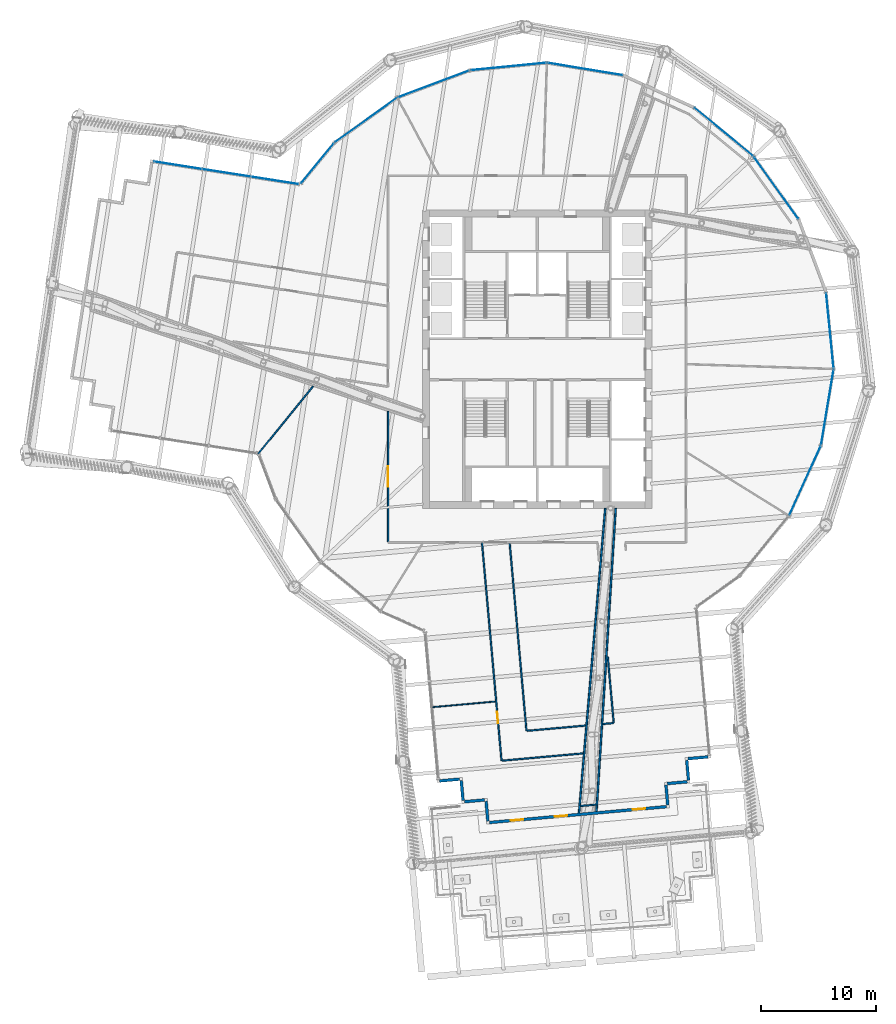
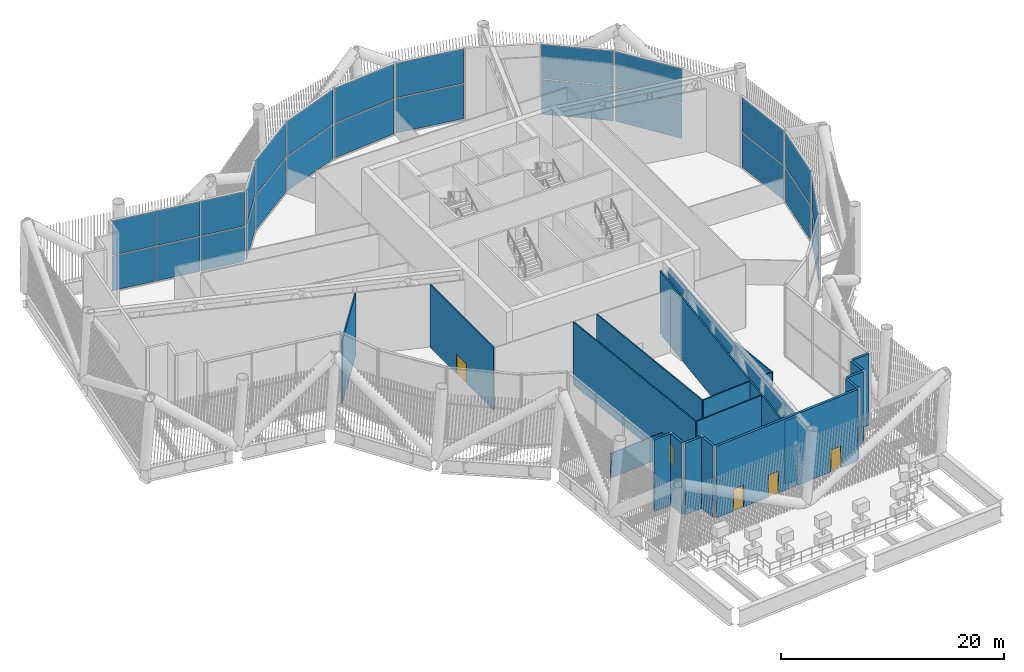
# One storey, part 29 of 55: 26 plates, 21 walls, 5 doors, 5 openings, 11 elements without a shape of their own.
"""IFC4 building model written with IfcOpenShell, lengths in metres."""

from ifc_helpers import new_model, si_unit, direction, frame, frame_2d, origin, origin_2d, place, context, subcontext, project, spatial, rectangle, extrude, material, layer, layer_set, type_object, element, fill, aggregate, save


model = new_model("IFC4")

# Units and contexts
model_context = context("Model", 3, precision=1e-05, world=origin(), true_north=direction((0.0, 1.0)))
body_context = subcontext(model_context, "Body", "Model", "MODEL_VIEW")
ifc_project = project(units=[si_unit("LENGTHUNIT", "METRE"), si_unit("AREAUNIT", "SQUARE_METRE"), si_unit("VOLUMEUNIT", "CUBIC_METRE"), si_unit("PLANEANGLEUNIT", "RADIAN"), si_unit("MASSUNIT", "GRAM", prefix="KILO")], contexts=[model_context])

# Site, building, storey
site_placement = place(None, origin())
site = spatial("IfcSite", under=ifc_project, at=site_placement, CompositionType="ELEMENT")
building_placement = place(site_placement, origin())
building = spatial("IfcBuilding", under=site, at=building_placement, Name="Tarsis Ring Headquarters", CompositionType="ELEMENT")
storey_placement = place(building_placement, frame((0.0, 0.0, 247.199951171875)))
storey = spatial("IfcBuildingStorey", under=building, at=storey_placement, Name="L58", CompositionType="ELEMENT", Elevation=247.199951171875)

# Curtain wall, plates
ifc_material_1 = material(Name="Aluminium curtain wall", Category="aluminium")
ifc_layer_1 = layer(ifc_material_1, 0.300048828125)
ifc_layer_set_1 = layer_set([ifc_layer_1], Name="Curtain wall upper sky lobby")
curtain_wall_type = type_object("IfcCurtainWallType", Name="Curtain wall upper sky lobby", PredefinedType="NOTDEFINED", material=ifc_layer_set_1)
curtain_wall_1_placement = place(storey_placement, origin())
curtain_wall_1 = element("IfcCurtainWall", 1, at=curtain_wall_1_placement, inside=storey, type_object=curtain_wall_type, Name="Curtain wall L58-19", PredefinedType="NOTDEFINED")
ifc_material_2 = material(Name="Clear double glazing", Category="glass")
ifc_layer_2 = layer(ifc_material_2, 0.028076171875)
ifc_layer_set_2 = layer_set([ifc_layer_2], Name="Curtain wall glass panel upper sky lobby")
plate_type = type_object("IfcPlateType", Name="Curtain wall glass panel upper sky lobby", PredefinedType="CURTAIN_PANEL", material=ifc_layer_set_2)
plate_1_placement = place(storey_placement, frame((23.364990234375, -10.589111328125, 0.09033203125), z_axis=(0.0, 0.0, 1.0), x_axis=(0.412786401019, 0.910827858124, 0.0)))
plate_1 = element("IfcPlate", 2, at=plate_1_placement, type_object=plate_type, Name="CW-U panel 1.1", PredefinedType="CURTAIN_PANEL", context=body_context, shape_type="SweptSolid", body=[
    extrude(rectangle(XDim=6.54150390625, YDim=0.028076171875, at=origin_2d()), origin(), (0.0, 0.0, 1.0), 3.784912109375),
])
plate_2_placement = place(storey_placement, frame((23.364990234375, -10.589111328125, 3.96533203125), z_axis=(0.0, 0.0, 1.0), x_axis=(0.412786401019, 0.910827858124, 0.0)))
plate_2 = element("IfcPlate", 3, at=plate_2_placement, type_object=plate_type, Name="CW-U panel 1.2", PredefinedType="CURTAIN_PANEL", context=body_context, shape_type="SweptSolid", body=[
    extrude(rectangle(XDim=6.54150390625, YDim=0.028076171875, at=origin_2d()), origin(), (0.0, 0.0, 1.0), 3.784912109375),
])
aggregate(curtain_wall_1, [plate_1, plate_2])

curtain_wall_2_placement = place(storey_placement, origin())
curtain_wall_2 = element("IfcCurtainWall", 4, at=curtain_wall_2_placement, inside=storey, type_object=curtain_wall_type, Name="Curtain wall L58-20", PredefinedType="NOTDEFINED")
plate_3_placement = place(storey_placement, frame((25.3095703125, -4.180908203125, 0.09033203125), z_axis=(0.0, 0.0, 1.0), x_axis=(0.162981380647, 0.986629144898, 0.0)))
plate_3 = element("IfcPlate", 5, at=plate_3_placement, type_object=plate_type, Name="CW-U panel 1.1", PredefinedType="CURTAIN_PANEL", context=body_context, shape_type="SweptSolid", body=[
    extrude(rectangle(XDim=6.54150390625, YDim=0.028076171875, at=origin_2d()), origin(), (0.0, 0.0, 1.0), 3.784912109375),
])
plate_4_placement = place(storey_placement, frame((25.3095703125, -4.180908203125, 3.96533203125), z_axis=(0.0, 0.0, 1.0), x_axis=(0.162981380647, 0.986629144898, 0.0)))
plate_4 = element("IfcPlate", 6, at=plate_4_placement, type_object=plate_type, Name="CW-U panel 1.2", PredefinedType="CURTAIN_PANEL", context=body_context, shape_type="SweptSolid", body=[
    extrude(rectangle(XDim=6.54150390625, YDim=0.028076171875, at=origin_2d()), origin(), (0.0, 0.0, 1.0), 3.784912109375),
])
aggregate(curtain_wall_2, [plate_3, plate_4])

curtain_wall_3_placement = place(storey_placement, origin())
curtain_wall_3 = element("IfcCurtainWall", 7, at=curtain_wall_3_placement, inside=storey, type_object=curtain_wall_type, Name="Curtain wall L58-21", PredefinedType="NOTDEFINED")
plate_5_placement = place(storey_placement, frame((25.529296875, 2.51220703125, 0.09033203125), z_axis=(0.0, 0.0, 1.0), x_axis=(-0.09793030081, 0.995193275793, 0.0)))
plate_5 = element("IfcPlate", 8, at=plate_5_placement, type_object=plate_type, Name="CW-U panel 1.1", PredefinedType="CURTAIN_PANEL", context=body_context, shape_type="SweptSolid", body=[
    extrude(rectangle(XDim=6.54150390625, YDim=0.028076171875, at=origin_2d()), origin(), (0.0, 0.0, 1.0), 3.784912109375),
])
plate_6_placement = place(storey_placement, frame((25.529296875, 2.51220703125, 3.96533203125), z_axis=(0.0, 0.0, 1.0), x_axis=(-0.09793030081, 0.995193275793, 0.0)))
plate_6 = element("IfcPlate", 9, at=plate_6_placement, type_object=plate_type, Name="CW-U panel 1.2", PredefinedType="CURTAIN_PANEL", context=body_context, shape_type="SweptSolid", body=[
    extrude(rectangle(XDim=6.54150390625, YDim=0.028076171875, at=origin_2d()), origin(), (0.0, 0.0, 1.0), 3.784912109375),
])
aggregate(curtain_wall_3, [plate_5, plate_6])

curtain_wall_4_placement = place(storey_placement, origin())
curtain_wall_4 = element("IfcCurtainWall", 10, at=curtain_wall_4_placement, inside=storey, type_object=curtain_wall_type, Name="Curtain wall L58-23", PredefinedType="NOTDEFINED")
plate_7_placement = place(storey_placement, frame((20.85302734375, 14.940185546875, 0.09033203125), z_axis=(0.0, 0.0, 1.0), x_axis=(-0.582406653888, 0.812897588573, 0.0)))
plate_7 = element("IfcPlate", 11, at=plate_7_placement, type_object=plate_type, Name="CW-U panel 1.1", PredefinedType="CURTAIN_PANEL", context=body_context, shape_type="SweptSolid", body=[
    extrude(rectangle(XDim=6.54150390625, YDim=0.028076171875, at=origin_2d()), origin(), (0.0, 0.0, 1.0), 3.784912109375),
])
plate_8_placement = place(storey_placement, frame((20.85302734375, 14.940185546875, 3.96533203125), z_axis=(0.0, 0.0, 1.0), x_axis=(-0.582406653888, 0.812897588573, 0.0)))
plate_8 = element("IfcPlate", 12, at=plate_8_placement, type_object=plate_type, Name="CW-U panel 1.2", PredefinedType="CURTAIN_PANEL", context=body_context, shape_type="SweptSolid", body=[
    extrude(rectangle(XDim=6.54150390625, YDim=0.028076171875, at=origin_2d()), origin(), (0.0, 0.0, 1.0), 3.784912109375),
])
aggregate(curtain_wall_4, [plate_7, plate_8])

curtain_wall_5_placement = place(storey_placement, origin())
curtain_wall_5 = element("IfcCurtainWall", 13, at=curtain_wall_5_placement, inside=storey, type_object=curtain_wall_type, Name="Curtain wall L58-24", PredefinedType="NOTDEFINED")
plate_9_placement = place(storey_placement, frame((16.275634765625, 19.828369140625, 0.09033203125), z_axis=(0.0, 0.0, 1.0), x_axis=(-0.772955112947, 0.634460710658, 0.0)))
plate_9 = element("IfcPlate", 14, at=plate_9_placement, type_object=plate_type, Name="CW-U panel 1.1", PredefinedType="CURTAIN_PANEL", context=body_context, shape_type="SweptSolid", body=[
    extrude(rectangle(XDim=6.54150390625, YDim=0.028076171875, at=origin_2d()), origin(), (0.0, 0.0, 1.0), 3.784912109375),
])
plate_10_placement = place(storey_placement, frame((16.275634765625, 19.828369140625, 3.96533203125), z_axis=(0.0, 0.0, 1.0), x_axis=(-0.772955112947, 0.634460710658, 0.0)))
plate_10 = element("IfcPlate", 15, at=plate_10_placement, type_object=plate_type, Name="CW-U panel 1.2", PredefinedType="CURTAIN_PANEL", context=body_context, shape_type="SweptSolid", body=[
    extrude(rectangle(XDim=6.54150390625, YDim=0.028076171875, at=origin_2d()), origin(), (0.0, 0.0, 1.0), 3.784912109375),
])
aggregate(curtain_wall_5, [plate_9, plate_10])

curtain_wall_6_placement = place(storey_placement, origin())
curtain_wall_6 = element("IfcCurtainWall", 16, at=curtain_wall_6_placement, inside=storey, type_object=curtain_wall_type, Name="Curtain wall L58-26", PredefinedType="NOTDEFINED")
plate_11_placement = place(storey_placement, frame((4.180908203125, 25.3095703125, 0.09033203125), z_axis=(0.0, 0.0, 1.0), x_axis=(-0.986629144898, 0.162981380647, 0.0)))
plate_11 = element("IfcPlate", 17, at=plate_11_placement, type_object=plate_type, Name="CW-U panel 1.1", PredefinedType="CURTAIN_PANEL", context=body_context, shape_type="SweptSolid", body=[
    extrude(rectangle(XDim=6.54150390625, YDim=0.028076171875, at=origin_2d()), origin(), (0.0, 0.0, 1.0), 3.784912109375),
])
plate_12_placement = place(storey_placement, frame((4.180908203125, 25.3095703125, 3.96533203125), z_axis=(0.0, 0.0, 1.0), x_axis=(-0.986629144898, 0.162981380647, 0.0)))
plate_12 = element("IfcPlate", 18, at=plate_12_placement, type_object=plate_type, Name="CW-U panel 1.2", PredefinedType="CURTAIN_PANEL", context=body_context, shape_type="SweptSolid", body=[
    extrude(rectangle(XDim=6.54150390625, YDim=0.028076171875, at=origin_2d()), origin(), (0.0, 0.0, 1.0), 3.784912109375),
])
aggregate(curtain_wall_6, [plate_11, plate_12])

curtain_wall_7_placement = place(storey_placement, origin())
curtain_wall_7 = element("IfcCurtainWall", 19, at=curtain_wall_7_placement, inside=storey, type_object=curtain_wall_type, Name="Curtain wall L58-27", PredefinedType="NOTDEFINED")
plate_13_placement = place(storey_placement, frame((-2.51220703125, 25.529296875, 0.09033203125), z_axis=(0.0, 0.0, 1.0), x_axis=(-0.995193275793, -0.09793030081, 0.0)))
plate_13 = element("IfcPlate", 20, at=plate_13_placement, type_object=plate_type, Name="CW-U panel 1.1", PredefinedType="CURTAIN_PANEL", context=body_context, shape_type="SweptSolid", body=[
    extrude(rectangle(XDim=6.54150390625, YDim=0.028076171875, at=origin_2d()), origin(), (0.0, 0.0, 1.0), 3.784912109375),
])
plate_14_placement = place(storey_placement, frame((-2.51220703125, 25.529296875, 3.96533203125), z_axis=(0.0, 0.0, 1.0), x_axis=(-0.995193275793, -0.09793030081, 0.0)))
plate_14 = element("IfcPlate", 21, at=plate_14_placement, type_object=plate_type, Name="CW-U panel 1.2", PredefinedType="CURTAIN_PANEL", context=body_context, shape_type="SweptSolid", body=[
    extrude(rectangle(XDim=6.54150390625, YDim=0.028076171875, at=origin_2d()), origin(), (0.0, 0.0, 1.0), 3.784912109375),
])
aggregate(curtain_wall_7, [plate_13, plate_14])

curtain_wall_8_placement = place(storey_placement, origin())
curtain_wall_8 = element("IfcCurtainWall", 22, at=curtain_wall_8_placement, inside=storey, type_object=curtain_wall_type, Name="Curtain wall L58-28", PredefinedType="NOTDEFINED")
plate_15_placement = place(storey_placement, frame((-9.033935546875, 24.00927734375, 0.09033203125), z_axis=(0.0, 0.0, 1.0), x_axis=(-0.935936664463, -0.352168368986, 0.0)))
plate_15 = element("IfcPlate", 23, at=plate_15_placement, type_object=plate_type, Name="CW-U panel 1.1", PredefinedType="CURTAIN_PANEL", context=body_context, shape_type="SweptSolid", body=[
    extrude(rectangle(XDim=6.54150390625, YDim=0.028076171875, at=origin_2d()), origin(), (0.0, 0.0, 1.0), 3.784912109375),
])
plate_16_placement = place(storey_placement, frame((-9.033935546875, 24.00927734375, 3.96533203125), z_axis=(0.0, 0.0, 1.0), x_axis=(-0.935936664463, -0.352168368986, 0.0)))
plate_16 = element("IfcPlate", 24, at=plate_16_placement, type_object=plate_type, Name="CW-U panel 1.2", PredefinedType="CURTAIN_PANEL", context=body_context, shape_type="SweptSolid", body=[
    extrude(rectangle(XDim=6.54150390625, YDim=0.028076171875, at=origin_2d()), origin(), (0.0, 0.0, 1.0), 3.784912109375),
])
aggregate(curtain_wall_8, [plate_15, plate_16])

curtain_wall_9_placement = place(storey_placement, origin())
curtain_wall_9 = element("IfcCurtainWall", 25, at=curtain_wall_9_placement, inside=storey, type_object=curtain_wall_type, Name="Curtain wall L58-29", PredefinedType="NOTDEFINED")
plate_17_placement = place(storey_placement, frame((-14.940185546875, 20.85302734375, 0.09033203125), z_axis=(0.0, 0.0, 1.0), x_axis=(-0.812897588573, -0.582406653888, 0.0)))
plate_17 = element("IfcPlate", 26, at=plate_17_placement, type_object=plate_type, Name="CW-U panel 1.1", PredefinedType="CURTAIN_PANEL", context=body_context, shape_type="SweptSolid", body=[
    extrude(rectangle(XDim=6.54150390625, YDim=0.028076171875, at=origin_2d()), origin(), (0.0, 0.0, 1.0), 3.784912109375),
])
plate_18_placement = place(storey_placement, frame((-14.940185546875, 20.85302734375, 3.96533203125), z_axis=(0.0, 0.0, 1.0), x_axis=(-0.812897588573, -0.582406653888, 0.0)))
plate_18 = element("IfcPlate", 27, at=plate_18_placement, type_object=plate_type, Name="CW-U panel 1.2", PredefinedType="CURTAIN_PANEL", context=body_context, shape_type="SweptSolid", body=[
    extrude(rectangle(XDim=6.54150390625, YDim=0.028076171875, at=origin_2d()), origin(), (0.0, 0.0, 1.0), 3.784912109375),
])
aggregate(curtain_wall_9, [plate_17, plate_18])

curtain_wall_10_placement = place(storey_placement, origin())
curtain_wall_10 = element("IfcCurtainWall", 28, at=curtain_wall_10_placement, inside=storey, type_object=curtain_wall_type, Name="Curtain wall L58-30", PredefinedType="NOTDEFINED")
plate_19_placement = place(storey_placement, frame((-19.160888671875, 17.088623046875, 0.09033203125), z_axis=(0.0, 0.0, 1.0), x_axis=(-0.634460692891, -0.772955127531, 0.0)))
plate_19 = element("IfcPlate", 29, at=plate_19_placement, type_object=plate_type, Name="CW-U panel 1.1", PredefinedType="CURTAIN_PANEL", context=body_context, shape_type="SweptSolid", body=[
    extrude(rectangle(XDim=4.437744140625, YDim=0.028076171875, at=origin_2d()), origin(), (0.0, 0.0, 1.0), 3.784912109375),
])
plate_20_placement = place(storey_placement, frame((-19.160888671875, 17.088623046875, 3.96533203125), z_axis=(0.0, 0.0, 1.0), x_axis=(-0.634460692891, -0.772955127531, 0.0)))
plate_20 = element("IfcPlate", 30, at=plate_20_placement, type_object=plate_type, Name="CW-U panel 1.2", PredefinedType="CURTAIN_PANEL", context=body_context, shape_type="SweptSolid", body=[
    extrude(rectangle(XDim=4.437744140625, YDim=0.028076171875, at=origin_2d()), origin(), (0.0, 0.0, 1.0), 3.784912109375),
])
aggregate(curtain_wall_10, [plate_19, plate_20])

curtain_wall_11_placement = place(storey_placement, origin())
curtain_wall_11 = element("IfcCurtainWall", 31, at=curtain_wall_11_placement, inside=storey, type_object=curtain_wall_type, Name="Curtain wall L58-31", PredefinedType="NOTDEFINED")
plate_21_placement = place(storey_placement, frame((-22.888427734375, 15.59521484375, 0.09033203125), z_axis=(0.0, 0.0, 1.0), x_axis=(-0.988013806329, 0.154365535351, 0.0)))
plate_21 = element("IfcPlate", 32, at=plate_21_placement, type_object=plate_type, Name="CW-U panel 1.1", PredefinedType="CURTAIN_PANEL", context=body_context, shape_type="SweptSolid", body=[
    extrude(rectangle(XDim=4.16552734375, YDim=0.028076171875, at=origin_2d()), origin(), (0.0, 0.0, 1.0), 3.784912109375),
])
plate_22_placement = place(storey_placement, frame((-22.888427734375, 15.59521484375, 3.96533203125), z_axis=(0.0, 0.0, 1.0), x_axis=(-0.988013806329, 0.154365535351, 0.0)))
plate_22 = element("IfcPlate", 33, at=plate_22_placement, type_object=plate_type, Name="CW-U panel 1.2", PredefinedType="CURTAIN_PANEL", context=body_context, shape_type="SweptSolid", body=[
    extrude(rectangle(XDim=4.16552734375, YDim=0.028076171875, at=origin_2d()), origin(), (0.0, 0.0, 1.0), 3.784912109375),
])
plate_23_placement = place(storey_placement, frame((-27.114990234375, 16.25537109375, 0.09033203125), z_axis=(0.0, 0.0, 1.0), x_axis=(-0.988013806329, 0.154365535351, 0.0)))
plate_23 = element("IfcPlate", 34, at=plate_23_placement, type_object=plate_type, Name="CW-U panel 2.1", PredefinedType="CURTAIN_PANEL", context=body_context, shape_type="SweptSolid", body=[
    extrude(rectangle(XDim=4.21044921875, YDim=0.028076171875, at=origin_2d()), origin(), (0.0, 0.0, 1.0), 3.784912109375),
])
plate_24_placement = place(storey_placement, frame((-27.114990234375, 16.25537109375, 3.96533203125), z_axis=(0.0, 0.0, 1.0), x_axis=(-0.988013806329, 0.154365535351, 0.0)))
plate_24 = element("IfcPlate", 35, at=plate_24_placement, type_object=plate_type, Name="CW-U panel 2.2", PredefinedType="CURTAIN_PANEL", context=body_context, shape_type="SweptSolid", body=[
    extrude(rectangle(XDim=4.21044921875, YDim=0.028076171875, at=origin_2d()), origin(), (0.0, 0.0, 1.0), 3.784912109375),
])
plate_25_placement = place(storey_placement, frame((-31.341796875, 16.915771484375, 0.09033203125), z_axis=(0.0, 0.0, 1.0), x_axis=(-0.988013806329, 0.154365535351, 0.0)))
plate_25 = element("IfcPlate", 36, at=plate_25_placement, type_object=plate_type, Name="CW-U panel 3.1", PredefinedType="CURTAIN_PANEL", context=body_context, shape_type="SweptSolid", body=[
    extrude(rectangle(XDim=4.16552734375, YDim=0.028076171875, at=origin_2d()), origin(), (0.0, 0.0, 1.0), 3.784912109375),
])
plate_26_placement = place(storey_placement, frame((-31.341796875, 16.915771484375, 3.96533203125), z_axis=(0.0, 0.0, 1.0), x_axis=(-0.988013806329, 0.154365535351, 0.0)))
plate_26 = element("IfcPlate", 37, at=plate_26_placement, type_object=plate_type, Name="CW-U panel 3.2", PredefinedType="CURTAIN_PANEL", context=body_context, shape_type="SweptSolid", body=[
    extrude(rectangle(XDim=4.16552734375, YDim=0.028076171875, at=origin_2d()), origin(), (0.0, 0.0, 1.0), 3.784912109375),
])
aggregate(curtain_wall_11, [plate_21, plate_22, plate_23, plate_24, plate_25, plate_26])

# Wall
ifc_material_3 = material(Name="Gypsum board on steel studs", Category="steel")
ifc_layer_3 = layer(ifc_material_3, 0.10009765625)
ifc_layer_set_3 = layer_set([ifc_layer_3], Name="FL partition 100 unrated")
wall_type_1 = type_object("IfcWallType", Name="FL partition 100 unrated", PredefinedType="PARTITIONING", material=ifc_layer_set_3)
wall_1_placement = place(storey_placement, frame((-9.277587890625, -30.359130859375, 0.0), z_axis=(0.0, 0.0, 1.0), x_axis=(0.996009407221, 0.089248309378, 0.0)))
element("IfcWall", 38, at=wall_1_placement, inside=storey, type_object=wall_type_1, Name="Partition PW3", PredefinedType="PARTITIONING", context=body_context, shape_type="SweptSolid", body=[
    extrude(rectangle(XDim=5.659912109375, YDim=0.10009765625, at=frame_2d((2.830078125, 0.0))), origin(), (0.0, 0.0, 1.0), 2.699951171875),
])

# Wall, opening, door
ifc_layer_4 = layer(ifc_material_3, 0.125)
ifc_layer_set_4 = layer_set([ifc_layer_4], Name="FL partition 125 EI 60 H6870")
wall_type_2 = type_object("IfcWallType", Name="FL partition 125 EI 60 H6870", PredefinedType="PARTITIONING", material=ifc_layer_set_4)
wall_2_placement = place(storey_placement, frame((-4.811279296875, -16.0, 0.0), z_axis=(0.0, 0.0, 1.0), x_axis=(0.089238653695, -0.99601027238, 0.0)))
wall_2 = element("IfcWall", 39, at=wall_2_placement, inside=storey, type_object=wall_type_2, Name="Partition PW1H687", PredefinedType="PARTITIONING", context=body_context, shape_type="SweptSolid", body=[
    extrude(rectangle(XDim=19.09326171875, YDim=0.125, at=frame_2d((9.546630859375, 0.0))), origin(), (0.0, 0.0, 1.0), 6.8701171875),
])
opening_1_placement = place(wall_2_placement, frame((14.80029296875, 0.0, 0.0)))
opening_1 = element("IfcOpeningElement", 40, at=opening_1_placement, cuts=wall_2, Name="Opening D58.03", PredefinedType="OPENING", context=body_context, shape_type="SweptSolid", body=[
    extrude(rectangle(XDim=1.0, YDim=2.10009765625, at=frame_2d((0.5, 1.050048828125))), frame((0.0, 0.072509765625, 0.0), z_axis=(0.0, -1.0, 0.0), x_axis=(1.0, 0.0, 0.0)), (0.0, 0.0, 1.0), 0.14501953125),
])
ifc_material_4 = material(Name="Fire-rated timber door leaf in steel frame", Category="steel")
door_type_1 = type_object("IfcDoorType", Name="FL door FD60-1000", OperationType="NOTDEFINED", PredefinedType="DOOR", material=ifc_material_4)
door_1_placement = place(opening_1_placement, origin())
door_1 = element("IfcDoor", 41, at=door_1_placement, inside=storey, type_object=door_type_1, Name="Door D58.03", OperationType="SINGLE_SWING_LEFT", OverallHeight=2.10009765625, OverallWidth=1.0, PredefinedType="DOOR", context=body_context, shape_type="SweptSolid", body=[
    extrude(rectangle(XDim=1.0, YDim=2.10009765625, at=frame_2d((0.5, 1.050048828125))), frame((0.0, 0.02490234375, 0.0), z_axis=(0.0, -1.0, 0.0), x_axis=(1.0, 0.0, 0.0)), (0.0, 0.0, 1.0), 0.050048828125),
])
fill(opening_1, door_1)

# Wall
wall_3_placement = place(storey_placement, frame((-2.3955078125, -16.06982421875, 0.0), z_axis=(0.0, 0.0, 1.0), x_axis=(0.089246410094, -0.996009577406, 0.0)))
element("IfcWall", 42, at=wall_3_placement, inside=storey, type_object=wall_type_2, Name="Partition PW1H687", PredefinedType="PARTITIONING", context=body_context, shape_type="SweptSolid", body=[
    extrude(rectangle(XDim=16.407958984375, YDim=0.125, at=frame_2d((8.2041015625, 0.0))), origin(), (0.0, 0.0, 1.0), 6.8701171875),
])

# Wall, opening, door
wall_4_placement = place(storey_placement, frame((-13.0, -15.93994140625, 0.0), z_axis=(0.0, 0.0, 1.0), x_axis=(0.0, 1.0, 0.0)))
wall_4 = element("IfcWall", 43, at=wall_4_placement, inside=storey, type_object=wall_type_2, Name="Partition PW1H687", PredefinedType="PARTITIONING", context=body_context, shape_type="SweptSolid", body=[
    extrude(rectangle(XDim=11.38525390625, YDim=0.125, at=frame_2d((5.692626953125, 0.0))), origin(), (0.0, 0.0, 1.0), 6.8701171875),
])
opening_2_placement = place(wall_4_placement, frame((4.8076171875, 0.0, 0.0)))
opening_2 = element("IfcOpeningElement", 44, at=opening_2_placement, cuts=wall_4, Name="Opening D58.01", PredefinedType="OPENING", context=body_context, shape_type="SweptSolid", body=[
    extrude(rectangle(XDim=1.800048828125, YDim=2.10009765625, at=frame_2d((0.89990234375, 1.050048828125))), frame((0.0, 0.072509765625, 0.0), z_axis=(0.0, -1.0, 0.0), x_axis=(1.0, 0.0, 0.0)), (0.0, 0.0, 1.0), 0.14501953125),
])
door_type_2 = type_object("IfcDoorType", Name="FL door FD60-1800", OperationType="DOUBLE_DOOR_SINGLE_SWING", PredefinedType="DOOR", material=ifc_material_4)
door_2_placement = place(opening_2_placement, origin())
door_2 = element("IfcDoor", 45, at=door_2_placement, inside=storey, type_object=door_type_2, Name="Door D58.01", OperationType="DOUBLE_DOOR_SINGLE_SWING", OverallHeight=2.10009765625, OverallWidth=1.800048828125, PredefinedType="DOOR", context=body_context, shape_type="SweptSolid", body=[
    extrude(rectangle(XDim=1.800048828125, YDim=2.10009765625, at=frame_2d((0.89990234375, 1.050048828125))), frame((0.0, 0.02490234375, 0.0), z_axis=(0.0, -1.0, 0.0), x_axis=(1.0, 0.0, 0.0)), (0.0, 0.0, 1.0), 0.050048828125),
])
fill(opening_2, door_2)

# Walls
wall_5_placement = place(storey_placement, frame((-24.346923828125, -8.265625, 0.0), z_axis=(0.0, 0.0, 1.0), x_axis=(0.631077338778, 0.775719918837, 0.0)))
element("IfcWall", 46, at=wall_5_placement, inside=storey, type_object=wall_type_2, Name="Partition PW1H687", PredefinedType="PARTITIONING", context=body_context, shape_type="SweptSolid", body=[
    extrude(rectangle(XDim=7.620849609375, YDim=0.125, at=frame_2d((3.810546875, 0.0))), origin(), (0.0, 0.0, 1.0), 6.8701171875),
])
wall_6_placement = place(storey_placement, frame((-3.047607421875, -35.01171875, 0.0), z_axis=(0.0, 0.0, 1.0), x_axis=(0.99600922349, 0.08925035979, 0.0)))
element("IfcWall", 47, at=wall_6_placement, inside=storey, type_object=wall_type_2, Name="Partition PW1H687", PredefinedType="PARTITIONING", context=body_context, shape_type="SweptSolid", body=[
    extrude(rectangle(XDim=7.09033203125, YDim=0.125, at=frame_2d((3.545166015625, 0.0))), origin(), (0.0, 0.0, 1.0), 6.8701171875),
])
wall_7_placement = place(storey_placement, frame((6.159423828125, -25.939697265625, 0.0), z_axis=(0.0, 0.0, 1.0), x_axis=(0.089263092038, -0.996008082497, 0.0)))
element("IfcWall", 48, at=wall_7_placement, inside=storey, type_object=wall_type_2, Name="Partition PW1H687", PredefinedType="PARTITIONING", context=body_context, shape_type="SweptSolid", body=[
    extrude(rectangle(XDim=5.81201171875, YDim=0.125, at=frame_2d((2.906005859375, 0.0))), origin(), (0.0, 0.0, 1.0), 6.8701171875),
])
wall_8_placement = place(storey_placement, frame((-0.871337890625, -32.406982421875, 0.0), z_axis=(0.0, 0.0, 1.0), x_axis=(0.996009725068, 0.089244762141, 0.0)))
element("IfcWall", 49, at=wall_8_placement, inside=storey, type_object=wall_type_2, Name="Partition PW1H687", PredefinedType="PARTITIONING", context=body_context, shape_type="SweptSolid", body=[
    extrude(rectangle(XDim=5.11572265625, YDim=0.125, at=frame_2d((2.557861328125, 0.0))), origin(), (0.0, 0.0, 1.0), 6.8701171875),
])
wall_9_placement = place(storey_placement, frame((3.786376953125, -38.967529296875, 0.0), z_axis=(0.0, 0.0, 1.0), x_axis=(0.996005042712, 0.089297003829, 0.0)))
element("IfcWall", 50, at=wall_9_placement, inside=storey, type_object=wall_type_2, Name="Partition PW1H687", PredefinedType="PARTITIONING", context=body_context, shape_type="SweptSolid", body=[
    extrude(rectangle(XDim=1.3505859375, YDim=0.125, at=frame_2d((0.67529296875, 0.0))), origin(), (0.0, 0.0, 1.0), 6.8701171875),
])
wall_10_placement = place(storey_placement, frame((5.736328125, -31.81494140625, 0.0), z_axis=(0.0, 0.0, 1.0), x_axis=(0.996010125151, 0.089240296928, 0.0)))
element("IfcWall", 51, at=wall_10_placement, inside=storey, type_object=wall_type_2, Name="Partition PW1H687", PredefinedType="PARTITIONING", context=body_context, shape_type="SweptSolid", body=[
    extrude(rectangle(XDim=0.883544921875, YDim=0.125, at=frame_2d((0.44189453125, 0.0))), origin(), (0.0, 0.0, 1.0), 6.8701171875),
])
ifc_layer_5 = layer(ifc_material_3, 0.14990234375)
ifc_layer_set_5 = layer_set([ifc_layer_5], Name="FL partition 150 EI 120 H6870")
wall_type_3 = type_object("IfcWallType", Name="FL partition 150 EI 120 H6870", PredefinedType="PARTITIONING", material=ifc_layer_set_5)
wall_11_placement = place(storey_placement, frame((3.633056640625, -39.78076171875, 0.0), z_axis=(0.0, 0.0, 1.0), x_axis=(0.085983314606, 0.996296577134, 0.0)))
element("IfcWall", 52, at=wall_11_placement, inside=storey, type_object=wall_type_3, Name="Partition PW2H687", PredefinedType="PARTITIONING", context=body_context, shape_type="SweptSolid", body=[
    extrude(rectangle(XDim=26.880615234375, YDim=0.14990234375, at=frame_2d((13.4404296875, 0.0))), origin(), (0.0, 0.0, 1.0), 6.8701171875),
])
wall_12_placement = place(storey_placement, frame((5.159912109375, -39.645263671875, 0.0), z_axis=(0.0, 0.0, 1.0), x_axis=(0.063323850683, 0.997993031005, 0.0)))
element("IfcWall", 53, at=wall_12_placement, inside=storey, type_object=wall_type_3, Name="Partition PW2H687", PredefinedType="PARTITIONING", context=body_context, shape_type="SweptSolid", body=[
    extrude(rectangle(XDim=26.69873046875, YDim=0.14990234375, at=frame_2d((13.349365234375, 0.0))), origin(), (0.0, 0.0, 1.0), 6.8701171875),
])
ifc_material_5 = material(Name="Terracotta clad insulated panel wall", Category="masonry")
ifc_layer_6 = layer(ifc_material_5, 0.25)
ifc_layer_set_6 = layer_set([ifc_layer_6], Name="Facade wall terracotta panel 250")
wall_type_4 = type_object("IfcWallType", Name="Facade wall terracotta panel 250", PredefinedType="STANDARD", material=ifc_layer_set_6)
wall_13_placement = place(storey_placement, frame((-8.50146484375, -36.780517578125, 0.0), z_axis=(0.0, 0.0, 1.0), x_axis=(0.996005641725, 0.089290322273, 0.0)))
element("IfcWall", 54, at=wall_13_placement, inside=storey, type_object=wall_type_4, Name="External wall L58-07", PredefinedType="STANDARD", context=body_context, shape_type="SweptSolid", body=[
    extrude(rectangle(XDim=1.75, YDim=0.25, at=frame_2d((0.875, 0.0))), origin(), (0.0, 0.0, 1.0), 7.840087890625),
])
wall_14_placement = place(storey_placement, frame((-6.622802734375, -36.737548828125, 0.0), z_axis=(0.0, 0.0, 1.0), x_axis=(0.089139528846, -0.99601914861, 0.0)))
element("IfcWall", 55, at=wall_14_placement, inside=storey, type_object=wall_type_4, Name="External wall L58-08", PredefinedType="STANDARD", context=body_context, shape_type="SweptSolid", body=[
    extrude(rectangle(XDim=1.750244140625, YDim=0.25, at=frame_2d((0.875, 0.0))), origin(), (0.0, 0.0, 1.0), 7.840087890625),
])
for number, where, z_axis, x_axis, name in (
    (56, (-6.3310546875, -38.593994140625, 0.0), (0.0, 0.0, 1.0), (0.996005641725, 0.089290322273, 0.0), "External wall L58-09"),
    (57, (-4.452392578125, -38.55126953125, 0.0), (0.0, 0.0, 1.0), (0.089290322273, -0.996005641725, 0.0), "External wall L58-10"),
):
    element("IfcWall", number, at=place(storey_placement, frame(where, z_axis=z_axis, x_axis=x_axis)), inside=storey, type_object=wall_type_4, Name=name, PredefinedType="STANDARD", context=body_context, shape_type="SweptSolid", body=[
        extrude(rectangle(XDim=1.75, YDim=0.25, at=frame_2d((0.875, 0.0))), origin(), (0.0, 0.0, 1.0), 7.840087890625),
    ])

# Wall, openings, doors
wall_15_placement = place(storey_placement, frame((-4.16064453125, -40.407470703125, 0.0), z_axis=(0.0, 0.0, 1.0), x_axis=(0.996009727081, 0.08924473968, 0.0)))
wall_15 = element("IfcWall", 58, at=wall_15_placement, inside=storey, type_object=wall_type_4, Name="External wall L58-11", PredefinedType="STANDARD", context=body_context, shape_type="SweptSolid", body=[
    extrude(rectangle(XDim=15.5, YDim=0.25, at=frame_2d((7.75, 0.0))), origin(), (0.0, 0.0, 1.0), 7.840087890625),
])
opening_3_placement = place(wall_15_placement, frame((1.86669921875, 0.0, 0.0)))
opening_3 = element("IfcOpeningElement", 59, at=opening_3_placement, cuts=wall_15, Name="Opening L58-BD01", PredefinedType="OPENING", context=body_context, shape_type="SweptSolid", body=[
    extrude(rectangle(XDim=1.10009765625, YDim=2.39990234375, at=frame_2d((0.550048828125, 1.199951171875))), frame((0.0, 0.135009765625, 0.0), z_axis=(0.0, -1.0, 0.0), x_axis=(1.0, 0.0, 0.0)), (0.0, 0.0, 1.0), 0.27001953125),
])
opening_4_placement = place(wall_15_placement, frame((5.699951171875, 0.0, 0.0)))
opening_4 = element("IfcOpeningElement", 60, at=opening_4_placement, cuts=wall_15, Name="Opening L58-BD02", PredefinedType="OPENING", context=body_context, shape_type="SweptSolid", body=[
    extrude(rectangle(XDim=1.10009765625, YDim=2.39990234375, at=frame_2d((0.550048828125, 1.199951171875))), frame((0.0, 0.135009765625, 0.0), z_axis=(0.0, -1.0, 0.0), x_axis=(1.0, 0.0, 0.0)), (0.0, 0.0, 1.0), 0.27001953125),
])
opening_5_placement = place(wall_15_placement, frame((12.533447265625, 0.0, 0.0)))
opening_5 = element("IfcOpeningElement", 61, at=opening_5_placement, cuts=wall_15, Name="Opening L58-BD03", PredefinedType="OPENING", context=body_context, shape_type="SweptSolid", body=[
    extrude(rectangle(XDim=1.10009765625, YDim=2.39990234375, at=frame_2d((0.550048828125, 1.199951171875))), frame((0.0, 0.135009765625, 0.0), z_axis=(0.0, -1.0, 0.0), x_axis=(1.0, 0.0, 0.0)), (0.0, 0.0, 1.0), 0.27001953125),
])
ifc_material_6 = material(Name="Aluminium framed double glazing", Category="aluminium")
door_type_3 = type_object("IfcDoorType", Name="Terrace sliding door 1100 x 2400", OperationType="SLIDING_TO_LEFT", PredefinedType="DOOR", material=ifc_material_6)
door_3_placement = place(opening_3_placement, origin())
door_3 = element("IfcDoor", 62, at=door_3_placement, inside=storey, type_object=door_type_3, Name="Door L58-BD01", OperationType="SINGLE_SWING_LEFT", OverallHeight=2.39990234375, OverallWidth=1.10009765625, PredefinedType="DOOR", context=body_context, shape_type="SweptSolid", body=[
    extrude(rectangle(XDim=1.10009765625, YDim=2.39990234375, at=frame_2d((0.550048828125, 1.199951171875))), frame((0.0, 0.02490234375, 0.0), z_axis=(0.0, -1.0, 0.0), x_axis=(1.0, 0.0, 0.0)), (0.0, 0.0, 1.0), 0.050048828125),
])
fill(opening_3, door_3)
door_4_placement = place(opening_4_placement, origin())
door_4 = element("IfcDoor", 63, at=door_4_placement, inside=storey, type_object=door_type_3, Name="Door L58-BD02", OperationType="SINGLE_SWING_LEFT", OverallHeight=2.39990234375, OverallWidth=1.10009765625, PredefinedType="DOOR", context=body_context, shape_type="SweptSolid", body=[
    extrude(rectangle(XDim=1.10009765625, YDim=2.39990234375, at=frame_2d((0.550048828125, 1.199951171875))), frame((0.0, 0.02490234375, 0.0), z_axis=(0.0, -1.0, 0.0), x_axis=(1.0, 0.0, 0.0)), (0.0, 0.0, 1.0), 0.050048828125),
])
fill(opening_4, door_4)
door_5_placement = place(opening_5_placement, origin())
door_5 = element("IfcDoor", 64, at=door_5_placement, inside=storey, type_object=door_type_3, Name="Door L58-BD03", OperationType="SINGLE_SWING_LEFT", OverallHeight=2.39990234375, OverallWidth=1.10009765625, PredefinedType="DOOR", context=body_context, shape_type="SweptSolid", body=[
    extrude(rectangle(XDim=1.10009765625, YDim=2.39990234375, at=frame_2d((0.550048828125, 1.199951171875))), frame((0.0, 0.02490234375, 0.0), z_axis=(0.0, -1.0, 0.0), x_axis=(1.0, 0.0, 0.0)), (0.0, 0.0, 1.0), 0.050048828125),
])
fill(opening_5, door_5)

# Walls
wall_16_placement = place(storey_placement, frame((11.390869140625, -38.888671875, 0.0), z_axis=(0.0, 0.0, 1.0), x_axis=(-0.089139528846, 0.99601914861, 0.0)))
element("IfcWall", 65, at=wall_16_placement, inside=storey, type_object=wall_type_4, Name="External wall L58-12", PredefinedType="STANDARD", context=body_context, shape_type="SweptSolid", body=[
    extrude(rectangle(XDim=1.750244140625, YDim=0.25, at=frame_2d((0.875, 0.0))), origin(), (0.0, 0.0, 1.0), 7.840087890625),
])
for number, where, z_axis, x_axis, name in (
    (66, (11.34814453125, -37.010009765625, 0.0), (0.0, 0.0, 1.0), (0.996005641725, 0.089290322273, 0.0), "External wall L58-13"),
    (67, (13.20458984375, -36.718017578125, 0.0), (0.0, 0.0, 1.0), (-0.089290322273, 0.996005641725, 0.0), "External wall L58-14"),
):
    element("IfcWall", number, at=place(storey_placement, frame(where, z_axis=z_axis, x_axis=x_axis)), inside=storey, type_object=wall_type_4, Name=name, PredefinedType="STANDARD", context=body_context, shape_type="SweptSolid", body=[
        extrude(rectangle(XDim=1.75, YDim=0.25, at=frame_2d((0.875, 0.0))), origin(), (0.0, 0.0, 1.0), 7.840087890625),
    ])
wall_17_placement = place(storey_placement, frame((13.16162109375, -34.83935546875, 0.0), z_axis=(0.0, 0.0, 1.0), x_axis=(0.99601914861, 0.089139528846, 0.0)))
element("IfcWall", 68, at=wall_17_placement, inside=storey, type_object=wall_type_4, Name="External wall L58-15", PredefinedType="STANDARD", context=body_context, shape_type="SweptSolid", body=[
    extrude(rectangle(XDim=1.750244140625, YDim=0.25, at=frame_2d((0.875, 0.0))), origin(), (0.0, 0.0, 1.0), 7.840087890625),
])

save(model, "model.ifc")
